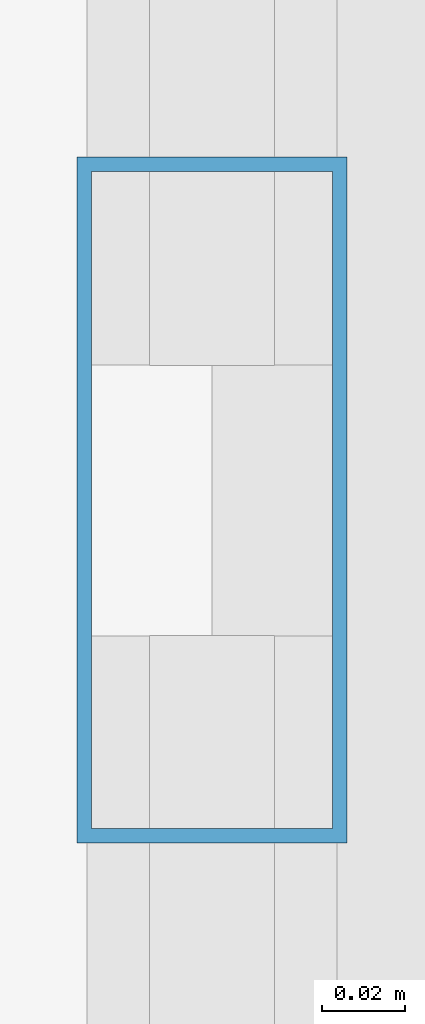
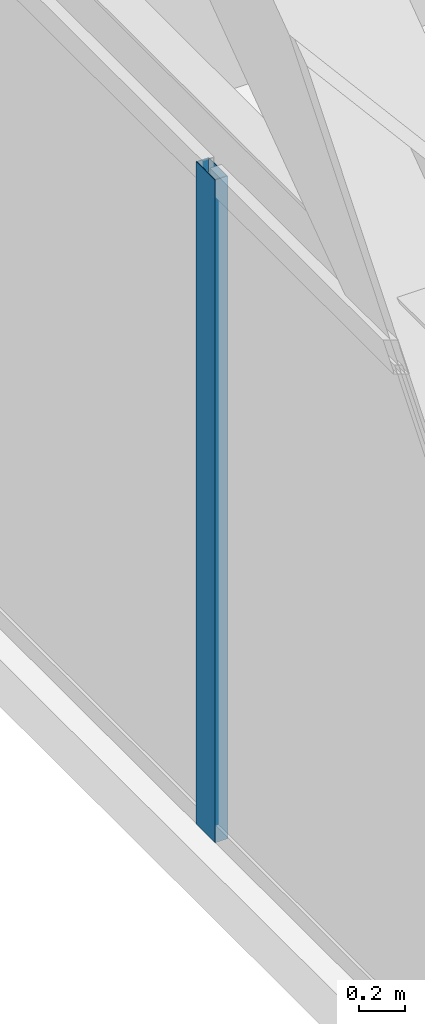
# One storey, part 10 of 34: 1 member, 1 element without a shape of its own.
"""IFC4 building model written with IfcOpenShell, lengths in metres."""

from ifc_helpers import new_model, si_unit, direction, frame, origin, origin_2d, place, context, subcontext, project, spatial, hollow_rectangle, extrude, source, transform, mapped, material, layer, layer_set, material_profile, profile_set, type_object, type_shapes, element, aggregate, save


model = new_model("IFC4")

# Units and contexts
model_context = context("Model", 3, precision=1e-05, world=origin(), true_north=direction((0.0, 1.0)))
body_context = subcontext(model_context, "Body", "Model", "MODEL_VIEW")
ifc_project = project(units=[si_unit("LENGTHUNIT", "METRE"), si_unit("AREAUNIT", "SQUARE_METRE"), si_unit("VOLUMEUNIT", "CUBIC_METRE"), si_unit("PLANEANGLEUNIT", "RADIAN"), si_unit("MASSUNIT", "GRAM", prefix="KILO")], contexts=[model_context])

# Site, building, storey
site_placement = place(None, origin())
site = spatial("IfcSite", under=ifc_project, at=site_placement, CompositionType="ELEMENT")
building_placement = place(site_placement, origin())
building = spatial("IfcBuilding", under=site, at=building_placement, Name="Varnel Quay Broadcast Tower", CompositionType="ELEMENT")
storey_placement = place(building_placement, frame((0.0, 0.0, 161.0)))
storey = spatial("IfcBuildingStorey", under=building, at=storey_placement, Name="L39", CompositionType="ELEMENT", Elevation=161.0)

# Curtain wall, member
ifc_material = material(Name="Anodised Bronze Aluminium 6063-T6", Category="aluminium")
ifc_layer = layer(ifc_material, 0.18994140625, Name="Anodised Bronze Aluminium 6063-T6")
ifc_layer_set = layer_set([ifc_layer], Name="Anodised Bronze Aluminium 6063-T6")
curtain_wall_type = type_object("IfcCurtainWallType", Name="CW_UpperTower", PredefinedType="NOTDEFINED", material=ifc_layer_set)
curtain_wall_placement = place(storey_placement, origin())
curtain_wall = element("IfcCurtainWall", 1, at=curtain_wall_placement, inside=storey, type_object=curtain_wall_type, Name="L39 West Unitised Curtain Wall", PredefinedType="NOTDEFINED")
ifc_material_profile = material_profile(ifc_material, hollow_rectangle(XDim=0.06494140625, YDim=0.1650390625, WallThickness=0.00341796875, at=origin_2d()), Name="ALU65X165X3.5")
ifc_profile_set = profile_set([ifc_material_profile], Name="Anodised Bronze Aluminium 6063-T6")
member_type = type_object("IfcMemberType", Name="Mull_CWS-03", PredefinedType="MULLION", material=ifc_profile_set)
shared_shape = source(origin(), body_context, "Body", "SweptSolid", [
    extrude(hollow_rectangle(XDim=0.06494140625, YDim=0.1650390625, WallThickness=0.00341796875, at=origin_2d()), origin(), (0.0, 0.0, 1.0), 3.550048828125),
])
type_shapes(member_type, [shared_shape])
member_placement = place(storey_placement, frame((7.14990234375, 21.60009765625, 0.0), z_axis=(0.0, 0.0, 1.0), x_axis=(-1.0, 0.0, 0.0)))
member = element("IfcMember", 2, at=member_placement, type_object=member_type, Name="CWS-03 mullion 2", PredefinedType="MULLION", context=body_context, shape_type="MappedRepresentation", body=[
    mapped(shared_shape, transform((0.0, 0.0, 0.0), x_axis=(1.0, 0.0, 0.0), y_axis=(0.0, 1.0, 0.0), z_axis=(0.0, 0.0, 1.0), scale=1.0)),
])
aggregate(curtain_wall, [member])

save(model, "model.ifc")
